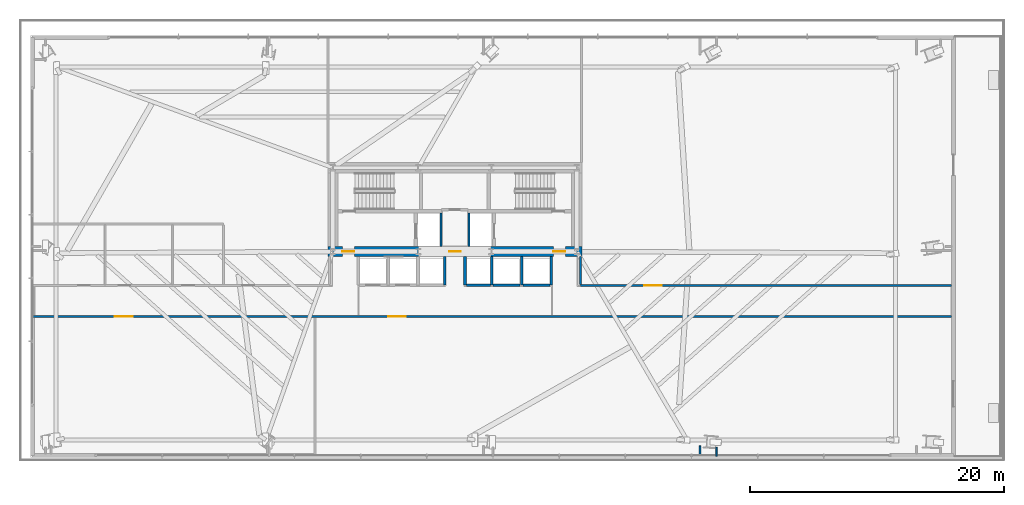
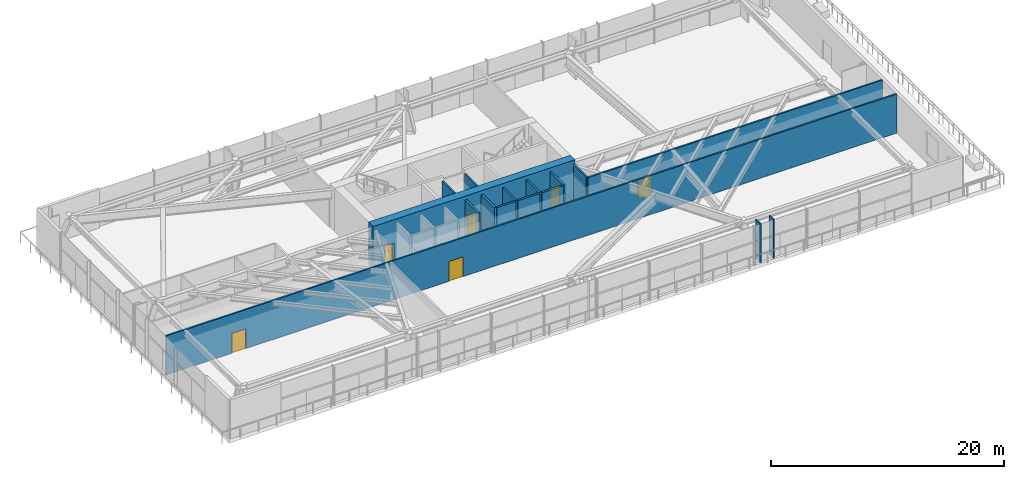
# One storey, part 25 of 33: 16 walls, 6 doors, 6 openings.
"""IFC4 building model written with IfcOpenShell, lengths in metres."""

from ifc_helpers import new_model, si_unit, direction, frame, frame_2d, origin, place, context, subcontext, project, spatial, rectangle, extrude, source, transform, mapped, material, layer, layer_set, type_object, type_shapes, element, fill, save


model = new_model("IFC4")

# Units and contexts
model_context = context("Model", 3, precision=1e-05, world=origin(), true_north=direction((0.0, 1.0)))
body_context = subcontext(model_context, "Body", "Model", "MODEL_VIEW")
ifc_project = project(units=[si_unit("LENGTHUNIT", "METRE"), si_unit("AREAUNIT", "SQUARE_METRE"), si_unit("VOLUMEUNIT", "CUBIC_METRE"), si_unit("PLANEANGLEUNIT", "RADIAN"), si_unit("MASSUNIT", "GRAM", prefix="KILO")], contexts=[model_context])

# Site, building, storey
site_placement = place(None, origin())
site = spatial("IfcSite", under=ifc_project, at=site_placement, CompositionType="ELEMENT")
building_placement = place(site_placement, origin())
building = spatial("IfcBuilding", under=site, at=building_placement, Name="Astriad Promenade Condominiums", CompositionType="ELEMENT")
storey_placement = place(building_placement, frame((0.0, 0.0, 9.5)))
storey = spatial("IfcBuildingStorey", under=building, at=storey_placement, Name="L02", CompositionType="ELEMENT", Elevation=9.5)

# Wall, openings, doors
ifc_material_1 = material(Name="Concrete C80/95", Category="concrete")
ifc_layer_1 = layer(ifc_material_1, 0.800048828125)
ifc_layer_set_1 = layer_set([ifc_layer_1], Name="Concrete C80/95")
wall_type_1 = type_object("IfcWallType", Name="CW-SHEAR-800", PredefinedType="SHEAR", material=ifc_layer_set_1)
wall_1_placement = place(storey_placement, frame((26.0, 17.39990234375, 0.0), z_axis=(0.0, 0.0, 1.0), x_axis=(1.0, 0.0, 0.0)))
wall_1 = element("IfcWall", 1, at=wall_1_placement, inside=storey, type_object=wall_type_1, Name="CW-CORE-S-L02", PredefinedType="SHEAR", context=body_context, shape_type="SweptSolid", body=[
    extrude(rectangle(XDim=20.0, YDim=0.800048828125, at=frame_2d((10.0, 0.0))), origin(), (0.0, 0.0, 1.0), 4.5),
])
opening_1_placement = place(wall_1_placement, frame((1.14990234375, 0.0, 0.0)))
opening_1 = element("IfcOpeningElement", 2, at=opening_1_placement, cuts=wall_1, Name="Opening FD90-ST-095", PredefinedType="OPENING", context=body_context, shape_type="SweptSolid", body=[
    extrude(rectangle(XDim=0.949951171875, YDim=2.06005859375, at=frame_2d((0.47509765625, 1.030029296875))), frame((0.0, 0.409912109375, 0.0), z_axis=(0.0, -1.0, 0.0), x_axis=(1.0, 0.0, 0.0)), (0.0, 0.0, 1.0), 0.820068359375),
])
opening_2_placement = place(wall_1_placement, frame((9.580078125, 0.0, 0.0)))
opening_2 = element("IfcOpeningElement", 3, at=opening_2_placement, cuts=wall_1, Name="Opening FD60-CSL-090", PredefinedType="OPENING", context=body_context, shape_type="SweptSolid", body=[
    extrude(rectangle(XDim=0.89990234375, YDim=2.06005859375, at=frame_2d((0.449951171875, 1.030029296875))), frame((0.0, 0.409912109375, 0.0), z_axis=(0.0, -1.0, 0.0), x_axis=(1.0, 0.0, 0.0)), (0.0, 0.0, 1.0), 0.820068359375),
])
opening_3_placement = place(wall_1_placement, frame((17.75, 0.0, 0.0)))
opening_3 = element("IfcOpeningElement", 4, at=opening_3_placement, cuts=wall_1, Name="Opening FD90-ST-095", PredefinedType="OPENING", context=body_context, shape_type="SweptSolid", body=[
    extrude(rectangle(XDim=0.949951171875, YDim=2.06005859375, at=frame_2d((0.47509765625, 1.030029296875))), frame((0.0, 0.409912109375, 0.0), z_axis=(0.0, -1.0, 0.0), x_axis=(1.0, 0.0, 0.0)), (0.0, 0.0, 1.0), 0.820068359375),
])
ifc_material_2 = material(Name="Fire-Rated Hollow Metal Stair Door")
door_type_1 = type_object("IfcDoorType", Name="FD90-ST-095", OperationType="NOTDEFINED", PredefinedType="DOOR", material=ifc_material_2)
shared_shape_1 = source(origin(), body_context, "Body", "SweptSolid", [
    extrude(rectangle(XDim=0.949951171875, YDim=2.06005859375, at=frame_2d((0.47509765625, 1.030029296875))), frame((0.0, 0.02490234375, 0.0), z_axis=(0.0, -1.0, 0.0), x_axis=(1.0, 0.0, 0.0)), (0.0, 0.0, 1.0), 0.050048828125),
])
type_shapes(door_type_1, [shared_shape_1])
door_1_placement = place(opening_1_placement, origin())
door_1 = element("IfcDoor", 5, at=door_1_placement, inside=storey, type_object=door_type_1, Name="D-FFW-L02", OperationType="SINGLE_SWING_LEFT", OverallHeight=2.06005859375, OverallWidth=0.949951171875, PredefinedType="DOOR", context=body_context, shape_type="MappedRepresentation", body=[
    mapped(shared_shape_1, transform((0.0, 0.0, 0.0), scale=1.0)),
])
fill(opening_1, door_1)
door_2_placement = place(opening_3_placement, origin())
door_2 = element("IfcDoor", 6, at=door_2_placement, inside=storey, type_object=door_type_1, Name="D-FFE-L02", OperationType="SINGLE_SWING_RIGHT", OverallHeight=2.06005859375, OverallWidth=0.949951171875, PredefinedType="DOOR", context=body_context, shape_type="MappedRepresentation", body=[
    mapped(shared_shape_1, transform((0.0, 0.0, 0.0), scale=1.0)),
])
fill(opening_3, door_2)
ifc_material_3 = material(Name="Fire-Rated Service Lobby Door")
door_type_2 = type_object("IfcDoorType", Name="FD60-CSL-090", OperationType="NOTDEFINED", PredefinedType="DOOR", material=ifc_material_3)
shared_shape_2 = source(origin(), body_context, "Body", "SweptSolid", [
    extrude(rectangle(XDim=0.89990234375, YDim=2.06005859375, at=frame_2d((0.449951171875, 1.030029296875))), frame((0.0, 0.02490234375, 0.0), z_axis=(0.0, -1.0, 0.0), x_axis=(1.0, 0.0, 0.0)), (0.0, 0.0, 1.0), 0.050048828125),
])
type_shapes(door_type_2, [shared_shape_2])
door_3_placement = place(opening_2_placement, origin())
door_3 = element("IfcDoor", 7, at=door_3_placement, inside=storey, type_object=door_type_2, Name="D-CSL-L02", OperationType="SINGLE_SWING_RIGHT", OverallHeight=2.06005859375, OverallWidth=0.89990234375, PredefinedType="DOOR", context=body_context, shape_type="MappedRepresentation", body=[
    mapped(shared_shape_2, transform((0.0, 0.0, 0.0), scale=1.0)),
])
fill(opening_2, door_3)

# Walls
ifc_material_4 = material(Name="Fire-Rated Gypsum Partition")
ifc_layer_2 = layer(ifc_material_4, 0.159912109375)
ifc_layer_set_2 = layer_set([ifc_layer_2], Name="Fire-Rated Gypsum Partition")
wall_type_2 = type_object("IfcWallType", Name="WALL-CORR-160", PredefinedType="PARTITIONING", material=ifc_layer_set_2)
for number, where, z_axis, x_axis, name in (
    (8, (34.89990234375, 17.802001953125, 0.0), (0.0, 0.0, 1.0), (0.0, 1.0, 0.0), "CW-FFL1-E-L02"),
    (9, (37.10009765625, 17.802001953125, 0.0), (0.0, 0.0, 1.0), (0.0, 1.0, 0.0), "CW-FFL2-W-L02"),
):
    element("IfcWall", number, at=place(storey_placement, frame(where, z_axis=z_axis, x_axis=x_axis)), inside=storey, type_object=wall_type_2, Name=name, PredefinedType="PARTITIONING", context=body_context, shape_type="SweptSolid", body=[
        extrude(rectangle(XDim=2.64599609375, YDim=0.159912109375, at=frame_2d((1.322998046875, 0.0))), origin(), (0.0, 0.0, 1.0), 4.080078125),
    ])

# Wall, openings, doors
wall_2_placement = place(storey_placement, frame((2.75, 12.300048828125, 0.0), z_axis=(0.0, 0.0, 1.0), x_axis=(1.0, 0.0, 0.0)))
wall_2 = element("IfcWall", 10, at=wall_2_placement, inside=storey, type_object=wall_type_2, Name="PT-L02-CS", PredefinedType="PARTITIONING", context=body_context, shape_type="SweptSolid", body=[
    extrude(rectangle(XDim=72.347900390625, YDim=0.159912109375, at=frame_2d((36.173828125, 0.0))), origin(), (0.0, 0.0, 1.0), 4.080078125),
])
opening_4_placement = place(wall_2_placement, frame((6.5, 0.0, 0.0)))
opening_4 = element("IfcOpeningElement", 11, at=opening_4_placement, cuts=wall_2, Name="Opening FD60-SAL-1422", PredefinedType="OPENING", context=body_context, shape_type="SweptSolid", body=[
    extrude(rectangle(XDim=1.39990234375, YDim=2.080078125, at=frame_2d((0.699951171875, 1.0400390625))), frame((0.0, 0.08984375, 0.0), z_axis=(0.0, -1.0, 0.0), x_axis=(1.0, 0.0, 0.0)), (0.0, 0.0, 1.0), 0.179931640625),
])
opening_5_placement = place(wall_2_placement, frame((28.0, 0.0, 0.0)))
opening_5 = element("IfcOpeningElement", 12, at=opening_5_placement, cuts=wall_2, Name="Opening FD60-SAL-1422", PredefinedType="OPENING", context=body_context, shape_type="SweptSolid", body=[
    extrude(rectangle(XDim=1.39990234375, YDim=2.080078125, at=frame_2d((0.699951171875, 1.0400390625))), frame((0.0, 0.08984375, 0.0), z_axis=(0.0, -1.0, 0.0), x_axis=(1.0, 0.0, 0.0)), (0.0, 0.0, 1.0), 0.179931640625),
])
ifc_material_5 = material(Name="Glazed Timber Double Salon Door", Category="wood")
door_type_3 = type_object("IfcDoorType", Name="FD60-SAL-1422", OperationType="NOTDEFINED", PredefinedType="DOOR", material=ifc_material_5)
shared_shape_3 = source(origin(), body_context, "Body", "SweptSolid", [
    extrude(rectangle(XDim=1.39990234375, YDim=2.080078125, at=frame_2d((0.699951171875, 1.0400390625))), frame((0.0, 0.02490234375, 0.0), z_axis=(0.0, -1.0, 0.0), x_axis=(1.0, 0.0, 0.0)), (0.0, 0.0, 1.0), 0.050048828125),
])
type_shapes(door_type_3, [shared_shape_3])
door_4_placement = place(opening_4_placement, origin())
door_4 = element("IfcDoor", 13, at=door_4_placement, inside=storey, type_object=door_type_3, Name="D-L02-R1", OperationType="DOUBLE_DOOR_SINGLE_SWING", OverallHeight=2.080078125, OverallWidth=1.39990234375, PredefinedType="DOOR", context=body_context, shape_type="MappedRepresentation", body=[
    mapped(shared_shape_3, transform((0.0, 0.0, 0.0), scale=1.0)),
])
fill(opening_4, door_4)
door_5_placement = place(opening_5_placement, origin())
door_5 = element("IfcDoor", 14, at=door_5_placement, inside=storey, type_object=door_type_3, Name="D-L02-R2", OperationType="DOUBLE_DOOR_SINGLE_SWING", OverallHeight=2.080078125, OverallWidth=1.39990234375, PredefinedType="DOOR", context=body_context, shape_type="MappedRepresentation", body=[
    mapped(shared_shape_3, transform((0.0, 0.0, 0.0), scale=1.0)),
])
fill(opening_5, door_5)

# Wall, opening, door
wall_3_placement = place(storey_placement, frame((45.89990234375, 14.719970703125, 0.0), z_axis=(0.0, 0.0, 1.0), x_axis=(1.0, 0.0, 0.0)))
wall_3 = element("IfcWall", 15, at=wall_3_placement, inside=storey, type_object=wall_type_2, Name="PT-L02-CNE", PredefinedType="PARTITIONING", context=body_context, shape_type="SweptSolid", body=[
    extrude(rectangle(XDim=29.197998046875, YDim=0.159912109375, at=frame_2d((14.59912109375, 0.0))), origin(), (0.0, 0.0, 1.0), 4.080078125),
])
opening_6_placement = place(wall_3_placement, frame((5.0, 0.0, 0.0)))
opening_6 = element("IfcOpeningElement", 16, at=opening_6_placement, cuts=wall_3, Name="Opening FD60-SAL-1422", PredefinedType="OPENING", context=body_context, shape_type="SweptSolid", body=[
    extrude(rectangle(XDim=1.39990234375, YDim=2.080078125, at=frame_2d((0.699951171875, 1.0400390625))), frame((0.0, 0.08984375, 0.0), z_axis=(0.0, -1.0, 0.0), x_axis=(1.0, 0.0, 0.0)), (0.0, 0.0, 1.0), 0.179931640625),
])
door_6_placement = place(opening_6_placement, origin())
door_6 = element("IfcDoor", 17, at=door_6_placement, inside=storey, type_object=door_type_3, Name="D-L02-R3", OperationType="DOUBLE_DOOR_SINGLE_SWING", OverallHeight=2.080078125, OverallWidth=1.39990234375, PredefinedType="DOOR", context=body_context, shape_type="MappedRepresentation", body=[
    mapped(shared_shape_3, transform((0.0, 0.0, 0.0), scale=1.0)),
])
fill(opening_6, door_6)

# Walls
wall_4_placement = place(storey_placement, frame((45.89990234375, 14.802001953125, 0.0), z_axis=(0.0, 0.0, 1.0), x_axis=(0.0, 1.0, 0.0)))
element("IfcWall", 18, at=wall_4_placement, inside=storey, type_object=wall_type_2, Name="PT-L02-CESP", PredefinedType="PARTITIONING", context=body_context, shape_type="SweptSolid", body=[
    extrude(rectangle(XDim=2.196044921875, YDim=0.159912109375, at=frame_2d((1.09814453125, 0.0))), origin(), (0.0, 0.0, 1.0), 4.080078125),
])
ifc_material_6 = material(Name="Acoustic Metal-Stud Gypsum Partition")
ifc_layer_3 = layer(ifc_material_6, 0.1201171875)
ifc_layer_set_3 = layer_set([ifc_layer_3], Name="Acoustic Metal-Stud Gypsum Partition")
wall_type_3 = type_object("IfcWallType", Name="WALL-PART-120", PredefinedType="PARTITIONING", material=ifc_layer_set_3)
wall_5_placement = place(storey_placement, frame((55.297607421875, 2.10009765625, 0.0), z_axis=(0.0, 0.0, 1.0), x_axis=(0.0, -1.0, 0.0)))
element("IfcWall", 19, at=wall_5_placement, inside=storey, type_object=wall_type_3, Name="PT-PIL-L02-PC04-11", PredefinedType="PARTITIONING", context=body_context, shape_type="SweptSolid", body=[
    extrude(rectangle(XDim=0.820068359375, YDim=0.1201171875, at=frame_2d((0.41015625, 0.0))), origin(), (0.0, 0.0, 1.0), 4.080078125),
])
wall_6_placement = place(storey_placement, frame((56.610107421875, 2.0, 0.0), z_axis=(0.0, 0.0, 1.0), x_axis=(0.0, -1.0, 0.0)))
element("IfcWall", 20, at=wall_6_placement, inside=storey, type_object=wall_type_3, Name="PT-PIL-L02-PC04-23", PredefinedType="PARTITIONING", context=body_context, shape_type="SweptSolid", body=[
    extrude(rectangle(XDim=0.719970703125, YDim=0.1201171875, at=frame_2d((0.35986328125, 0.0))), origin(), (0.0, 0.0, 1.0), 4.080078125),
])
ifc_material_7 = material(Name="Gypsum Shaftliner Assembly")
ifc_layer_4 = layer(ifc_material_7, 0.199951171875)
ifc_layer_set_4 = layer_set([ifc_layer_4], Name="Gypsum Shaftliner Assembly")
wall_type_4 = type_object("IfcWallType", Name="WALL-SHAFT-200", PredefinedType="PARTITIONING", material=ifc_layer_set_4)
for number, where, z_axis, x_axis, name in (
    (21, (35.199951171875, 14.75, 0.0), (0.0, 0.0, 1.0), (0.0, 1.0, 0.0), "PL-M1-E-L02"),
    (22, (36.800048828125, 14.75, 0.0), (0.0, 0.0, 1.0), (0.0, 1.0, 0.0), "PL-M2-W-L02"),
    (23, (38.89990234375, 14.75, 0.0), (0.0, 0.0, 1.0), (0.0, 1.0, 0.0), "PL-MH-DIV-L02"),
):
    element("IfcWall", number, at=place(storey_placement, frame(where, z_axis=z_axis, x_axis=x_axis)), inside=storey, type_object=wall_type_4, Name=name, PredefinedType="PARTITIONING", context=body_context, shape_type="SweptSolid", body=[
        extrude(rectangle(XDim=2.248046875, YDim=0.199951171875, at=frame_2d((1.1240234375, 0.0))), origin(), (0.0, 0.0, 1.0), 4.080078125),
    ])
wall_7_placement = place(storey_placement, frame((36.902099609375, 14.75, 0.0), z_axis=(0.0, 0.0, 1.0), x_axis=(1.0, 0.0, 0.0)))
element("IfcWall", 24, at=wall_7_placement, inside=storey, type_object=wall_type_4, Name="PL-M2-F-L02", PredefinedType="PARTITIONING", context=body_context, shape_type="SweptSolid", body=[
    extrude(rectangle(XDim=1.89599609375, YDim=0.199951171875, at=frame_2d((0.947998046875, 0.0))), origin(), (0.0, 0.0, 1.0), 4.080078125),
])
for number, where, z_axis, x_axis, name in (
    (25, (41.25, 14.75, 0.0), (0.0, 0.0, 1.0), (0.0, 1.0, 0.0), "PL-H-DIV-L02"),
    (26, (43.60009765625, 14.75, 0.0), (0.0, 0.0, 1.0), (0.0, 1.0, 0.0), "PL-E-OUT-L02"),
):
    element("IfcWall", number, at=place(storey_placement, frame(where, z_axis=z_axis, x_axis=x_axis)), inside=storey, type_object=wall_type_4, Name=name, PredefinedType="PARTITIONING", context=body_context, shape_type="SweptSolid", body=[
        extrude(rectangle(XDim=2.248046875, YDim=0.199951171875, at=frame_2d((1.1240234375, 0.0))), origin(), (0.0, 0.0, 1.0), 4.080078125),
    ])
for number, where, z_axis, x_axis, name in (
    (27, (39.001953125, 14.75, 0.0), (0.0, 0.0, 1.0), (1.0, 0.0, 0.0), "PL-H-FRT-L02"),
    (28, (41.35205078125, 14.75, 0.0), (0.0, 0.0, 1.0), (1.0, 0.0, 0.0), "PL-H-FRT-L02-S2"),
):
    element("IfcWall", number, at=place(storey_placement, frame(where, z_axis=z_axis, x_axis=x_axis)), inside=storey, type_object=wall_type_4, Name=name, PredefinedType="PARTITIONING", context=body_context, shape_type="SweptSolid", body=[
        extrude(rectangle(XDim=2.14599609375, YDim=0.199951171875, at=frame_2d((1.072998046875, 0.0))), origin(), (0.0, 0.0, 1.0), 4.080078125),
    ])

save(model, "model.ifc")
